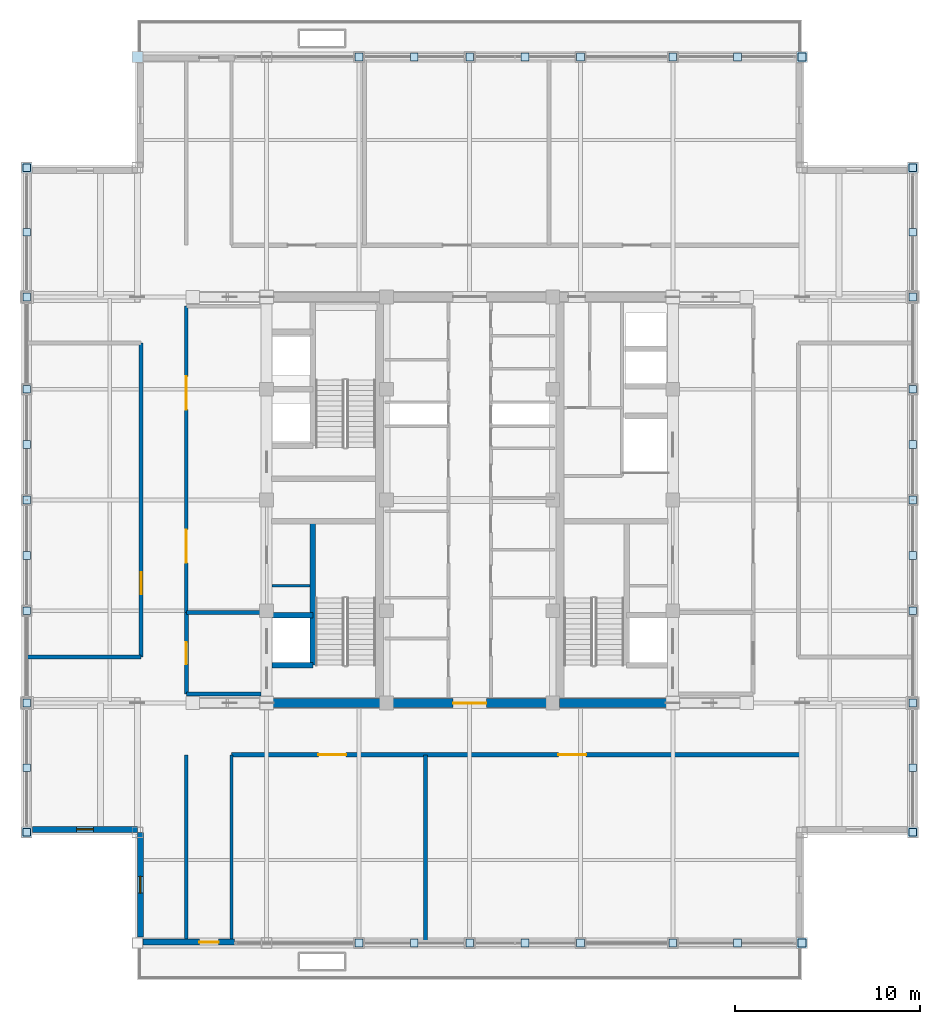
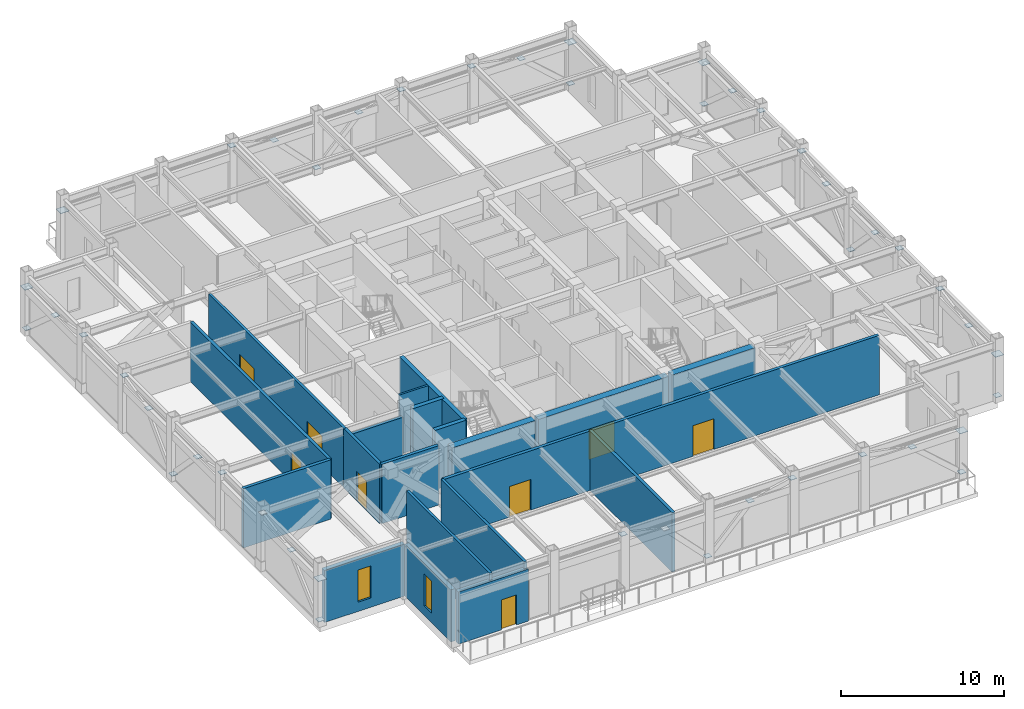
# One storey, part 26 of 32: 45 plates, 20 walls, 8 doors, 2 windows, 10 openings.
"""IFC4 building model written with IfcOpenShell, lengths in metres."""

from ifc_helpers import new_model, si_unit, direction, frame, frame_2d, origin, origin_2d, place, context, subcontext, project, spatial, rectangle, extrude, source, transform, mapped, material, layer, layer_set, type_object, element, fill, save


model = new_model("IFC4")

# Units and contexts
model_context = context("Model", 3, precision=1e-05, world=origin(), true_north=direction((0.0, 1.0)))
body_context = subcontext(model_context, "Body", "Model", "MODEL_VIEW")
ifc_project = project(units=[si_unit("LENGTHUNIT", "METRE"), si_unit("AREAUNIT", "SQUARE_METRE"), si_unit("VOLUMEUNIT", "CUBIC_METRE"), si_unit("PLANEANGLEUNIT", "RADIAN"), si_unit("MASSUNIT", "GRAM", prefix="KILO")], contexts=[model_context])

# Site, building, storey
site_placement = place(None, origin())
site = spatial("IfcSite", under=ifc_project, at=site_placement, CompositionType="ELEMENT")
building_placement = place(site_placement, origin())
building = spatial("IfcBuilding", under=site, at=building_placement, Name="Khorayat Bourse Tower", CompositionType="ELEMENT")
storey_placement = place(building_placement, frame((0.0, 0.0, 375.5)))
storey = spatial("IfcBuildingStorey", under=building, at=storey_placement, Name="L89", CompositionType="ELEMENT", Elevation=375.5)

# Plates
ifc_material_1 = material(Name="Steel EN 10025-2 S355J2", Category="steel")
ifc_layer_1 = layer(ifc_material_1, 0.02490234375)
ifc_layer_set_1 = layer_set([ifc_layer_1], Name="Steel EN 10025-2 S355J2")
plate_type = type_object("IfcPlateType", Name="PLT-ENDCAP-25", PredefinedType="SHEET", material=ifc_layer_set_1)
shared_shape_1 = source(origin(), body_context, "Body", "SweptSolid", [
    extrude(rectangle(XDim=0.580078125, YDim=0.580078125, at=origin_2d()), origin(), (0.0, 0.0, 1.0), 0.02490234375),
])
for number, where, z_axis, x_axis, name in (
    (1, (18.0, -24.0, 3.4375), (0.0, 0.0, 1.0), (1.0, 0.0, 0.0), "L89 Belt Truss Endcap Plate 002"),
    (2, (-18.0, 24.0, 3.4375), (0.0, 0.0, 1.0), (1.0, 0.0, 0.0), "L89 Belt Truss Endcap Plate 003"),
    (3, (18.0, 24.0, 3.4375), (0.0, 0.0, 1.0), (1.0, 0.0, 0.0), "L89 Belt Truss Endcap Plate 004"),
    (4, (-24.0, -18.0, 3.4375), (0.0, 0.0, 1.0), (1.0, 0.0, 0.0), "L89 Belt Truss Endcap Plate 005"),
    (5, (-24.0, 18.0, 3.4375), (0.0, 0.0, 1.0), (1.0, 0.0, 0.0), "L89 Belt Truss Endcap Plate 006"),
    (6, (24.0, -18.0, 3.4375), (0.0, 0.0, 1.0), (1.0, 0.0, 0.0), "L89 Belt Truss Endcap Plate 007"),
    (7, (24.0, 18.0, 3.4375), (0.0, 0.0, 1.0), (1.0, 0.0, 0.0), "L89 Belt Truss Endcap Plate 008"),
):
    element("IfcPlate", number, at=place(storey_placement, frame(where, z_axis=z_axis, x_axis=x_axis)), inside=storey, type_object=plate_type, Name=name, PredefinedType="SHEET", context=body_context, shape_type="MappedRepresentation", body=[
        mapped(shared_shape_1, transform((0.0, 0.0, 0.0), scale=1.0)),
    ])
shared_shape_2 = source(origin(), body_context, "Body", "SweptSolid", [
    extrude(rectangle(XDim=0.419921875, YDim=0.419921875, at=origin_2d()), origin(), (0.0, 0.0, 1.0), 0.02490234375),
])
for number, where, z_axis, x_axis, name in (
    (8, (-6.0, -24.0, 4.087646484375), (0.0, 0.0, 1.0), (1.0, 0.0, 0.0), "L89 Crown Frame Node Plate 009"),
    (9, (-3.0, -24.0, 3.4375), (0.0, 0.0, 1.0), (1.0, 0.0, 0.0), "L89 Crown Frame Node Plate 010"),
    (10, (0.0, -24.0, 0.337646484375), (0.0, 0.0, 1.0), (1.0, 0.0, 0.0), "L89 Crown Frame Node Plate 011"),
    (11, (3.0, -24.0, 3.4375), (0.0, 0.0, 1.0), (1.0, 0.0, 0.0), "L89 Crown Frame Node Plate 012"),
    (12, (6.0, -24.0, 4.087646484375), (0.0, 0.0, 1.0), (1.0, 0.0, 0.0), "L89 Crown Frame Node Plate 013"),
    (13, (11.0, -24.0, 4.087646484375), (0.0, 0.0, 1.0), (1.0, 0.0, 0.0), "L89 Crown Frame Node Plate 014"),
    (14, (14.5, -24.0, 3.4375), (0.0, 0.0, 1.0), (1.0, 0.0, 0.0), "L89 Crown Frame Node Plate 015"),
    (15, (18.0, -24.0, 0.337646484375), (0.0, 0.0, 1.0), (1.0, 0.0, 0.0), "L89 Crown Frame Node Plate 016"),
    (16, (-6.0, 24.0, 4.087646484375), (0.0, 0.0, 1.0), (1.0, 0.0, 0.0), "L89 Crown Frame Node Plate 017"),
    (17, (-3.0, 24.0, 3.4375), (0.0, 0.0, 1.0), (1.0, 0.0, 0.0), "L89 Crown Frame Node Plate 018"),
    (18, (0.0, 24.0, 0.337646484375), (0.0, 0.0, 1.0), (1.0, 0.0, 0.0), "L89 Crown Frame Node Plate 019"),
    (19, (3.0, 24.0, 3.4375), (0.0, 0.0, 1.0), (1.0, 0.0, 0.0), "L89 Crown Frame Node Plate 020"),
    (20, (6.0, 24.0, 4.087646484375), (0.0, 0.0, 1.0), (1.0, 0.0, 0.0), "L89 Crown Frame Node Plate 021"),
    (21, (11.0, 24.0, 4.087646484375), (0.0, 0.0, 1.0), (1.0, 0.0, 0.0), "L89 Crown Frame Node Plate 022"),
    (22, (14.5, 24.0, 3.4375), (0.0, 0.0, 1.0), (1.0, 0.0, 0.0), "L89 Crown Frame Node Plate 023"),
    (23, (18.0, 24.0, 0.337646484375), (0.0, 0.0, 1.0), (1.0, 0.0, 0.0), "L89 Crown Frame Node Plate 024"),
    (24, (-24.0, -18.0, 0.337646484375), (0.0, 0.0, 1.0), (1.0, 0.0, 0.0), "L89 Crown Frame Node Plate 025"),
    (25, (-24.0, -14.5, 3.4375), (0.0, 0.0, 1.0), (1.0, 0.0, 0.0), "L89 Crown Frame Node Plate 026"),
    (26, (-24.0, -11.0, 4.087646484375), (0.0, 0.0, 1.0), (1.0, 0.0, 0.0), "L89 Crown Frame Node Plate 027"),
    (27, (-24.0, -6.0, 4.087646484375), (0.0, 0.0, 1.0), (1.0, 0.0, 0.0), "L89 Crown Frame Node Plate 028"),
    (28, (-24.0, -3.0, 3.4375), (0.0, 0.0, 1.0), (1.0, 0.0, 0.0), "L89 Crown Frame Node Plate 029"),
    (29, (-24.0, 0.0, 0.337646484375), (0.0, 0.0, 1.0), (1.0, 0.0, 0.0), "L89 Crown Frame Node Plate 030"),
    (30, (-24.0, 3.0, 3.4375), (0.0, 0.0, 1.0), (1.0, 0.0, 0.0), "L89 Crown Frame Node Plate 031"),
    (31, (-24.0, 6.0, 4.087646484375), (0.0, 0.0, 1.0), (1.0, 0.0, 0.0), "L89 Crown Frame Node Plate 032"),
    (32, (-24.0, 11.0, 4.087646484375), (0.0, 0.0, 1.0), (1.0, 0.0, 0.0), "L89 Crown Frame Node Plate 033"),
    (33, (-24.0, 14.5, 3.4375), (0.0, 0.0, 1.0), (1.0, 0.0, 0.0), "L89 Crown Frame Node Plate 034"),
    (34, (-24.0, 18.0, 0.337646484375), (0.0, 0.0, 1.0), (1.0, 0.0, 0.0), "L89 Crown Frame Node Plate 035"),
    (35, (24.0, -18.0, 0.337646484375), (0.0, 0.0, 1.0), (1.0, 0.0, 0.0), "L89 Crown Frame Node Plate 036"),
    (36, (24.0, -14.5, 3.4375), (0.0, 0.0, 1.0), (1.0, 0.0, 0.0), "L89 Crown Frame Node Plate 037"),
    (37, (24.0, -11.0, 4.087646484375), (0.0, 0.0, 1.0), (1.0, 0.0, 0.0), "L89 Crown Frame Node Plate 038"),
    (38, (24.0, -6.0, 4.087646484375), (0.0, 0.0, 1.0), (1.0, 0.0, 0.0), "L89 Crown Frame Node Plate 039"),
    (39, (24.0, -3.0, 3.4375), (0.0, 0.0, 1.0), (1.0, 0.0, 0.0), "L89 Crown Frame Node Plate 040"),
    (40, (24.0, 0.0, 0.337646484375), (0.0, 0.0, 1.0), (1.0, 0.0, 0.0), "L89 Crown Frame Node Plate 041"),
    (41, (24.0, 3.0, 3.4375), (0.0, 0.0, 1.0), (1.0, 0.0, 0.0), "L89 Crown Frame Node Plate 042"),
    (42, (24.0, 6.0, 4.087646484375), (0.0, 0.0, 1.0), (1.0, 0.0, 0.0), "L89 Crown Frame Node Plate 043"),
    (43, (24.0, 11.0, 4.087646484375), (0.0, 0.0, 1.0), (1.0, 0.0, 0.0), "L89 Crown Frame Node Plate 044"),
    (44, (24.0, 14.5, 3.4375), (0.0, 0.0, 1.0), (1.0, 0.0, 0.0), "L89 Crown Frame Node Plate 045"),
    (45, (24.0, 18.0, 0.337646484375), (0.0, 0.0, 1.0), (1.0, 0.0, 0.0), "L89 Crown Frame Node Plate 046"),
):
    element("IfcPlate", number, at=place(storey_placement, frame(where, z_axis=z_axis, x_axis=x_axis)), inside=storey, type_object=plate_type, Name=name, PredefinedType="SHEET", context=body_context, shape_type="MappedRepresentation", body=[
        mapped(shared_shape_2, transform((0.0, 0.0, 0.0), scale=1.0)),
    ])

# Walls
ifc_material_2 = material(Name="Concrete C52/65", Category="concrete")
ifc_layer_2 = layer(ifc_material_2, 0.5)
ifc_layer_set_2 = layer_set([ifc_layer_2], Name="Concrete C52/65")
wall_type_1 = type_object("IfcWallType", Name="WAL-CORE-500", PredefinedType="SHEAR", material=ifc_layer_set_2)
shared_shape_3 = source(origin(), body_context, "Body", "SweptSolid", [
    extrude(rectangle(XDim=5.89990234375, YDim=0.5, at=frame_2d((2.949951171875, 0.0))), origin(), (0.0, 0.0, 1.0), 4.449951171875),
])
for number, where, z_axis, x_axis, name in (
    (46, (-10.75, -11.0, 0.0), (0.0, 0.0, 1.0), (1.0, 0.0, 0.0), "L89 Core Shear Wall PIER-WS"),
    (47, (4.85009765625, -11.0, 0.0), (0.0, 0.0, 1.0), (1.0, 0.0, 0.0), "L89 Core Shear Wall PIER-ES"),
):
    element("IfcWall", number, at=place(storey_placement, frame(where, z_axis=z_axis, x_axis=x_axis)), inside=storey, type_object=wall_type_1, Name=name, PredefinedType="SHEAR", context=body_context, shape_type="MappedRepresentation", body=[
        mapped(shared_shape_3, transform((0.0, 0.0, 0.0), scale=1.0)),
    ])

# Wall, opening, door
shared_shape_4 = source(origin(), body_context, "Body", "SweptSolid", [
    extrude(rectangle(XDim=9.2001953125, YDim=0.5, at=frame_2d((4.60009765625, 0.0))), origin(), (0.0, 0.0, 1.0), 4.449951171875),
])
wall_1_placement = place(storey_placement, frame((-4.60009765625, -11.0, 0.0), z_axis=(0.0, 0.0, 1.0), x_axis=(1.0, 0.0, 0.0)))
wall_1 = element("IfcWall", 48, at=wall_1_placement, inside=storey, type_object=wall_type_1, Name="L89 Core Shear Wall CORE-S", PredefinedType="SHEAR", context=body_context, shape_type="MappedRepresentation", body=[
    mapped(shared_shape_4, transform((0.0, 0.0, 0.0), scale=1.0)),
])
shared_shape_5 = source(origin(), body_context, "Body", "SweptSolid", [
    extrude(rectangle(XDim=1.800048828125, YDim=2.25, at=frame_2d((0.89990234375, 1.125))), frame((0.0, 0.260009765625, 0.0), z_axis=(0.0, -1.0, 0.0), x_axis=(1.0, 0.0, 0.0)), (0.0, 0.0, 1.0), 0.52001953125),
])
opening_1_placement = place(wall_1_placement, frame((3.699951171875, 0.0, 0.0)))
opening_1 = element("IfcOpeningElement", 49, at=opening_1_placement, cuts=wall_1, Name="Opening DI-03", PredefinedType="OPENING", context=body_context, shape_type="MappedRepresentation", body=[
    mapped(shared_shape_5, transform((0.0, 0.0, 0.0), scale=1.0)),
])
ifc_material_3 = material(Name="Fire-rated hardwood vision-panel double leaf", Category="wood")
door_type_1 = type_object("IfcDoorType", Name="DR-INT-CORR-1800", OperationType="NOTDEFINED", PredefinedType="DOOR", material=ifc_material_3)
shared_shape_6 = source(origin(), body_context, "Body", "SweptSolid", [
    extrude(rectangle(XDim=1.800048828125, YDim=2.25, at=frame_2d((0.89990234375, 1.125))), frame((0.0, 0.02490234375, 0.0), z_axis=(0.0, -1.0, 0.0), x_axis=(1.0, 0.0, 0.0)), (0.0, 0.0, 1.0), 0.050048828125),
])
door_1_placement = place(opening_1_placement, origin())
door_1 = element("IfcDoor", 50, at=door_1_placement, inside=storey, type_object=door_type_1, Name="L89 Central Core South Passage Door", OperationType="SINGLE_SWING_LEFT", OverallHeight=2.25, OverallWidth=1.800048828125, PredefinedType="DOOR", context=body_context, shape_type="MappedRepresentation", body=[
    mapped(shared_shape_6, transform((0.0, 0.0, 0.0), scale=1.0)),
])
fill(opening_1, door_1)

# Wall, opening, window
ifc_material_4 = material(Name="Precast concrete C45/55", Category="concrete")
ifc_layer_3 = layer(ifc_material_4, 0.320068359375)
ifc_layer_set_3 = layer_set([ifc_layer_3], Name="Precast concrete C45/55")
wall_type_2 = type_object("IfcWallType", Name="WAL-EXT-STONE-320", PredefinedType="STANDARD", material=ifc_layer_set_3)
shared_shape_7 = source(origin(), body_context, "Body", "SweptSolid", [
    extrude(rectangle(XDim=5.679931640625, YDim=0.320068359375, at=frame_2d((2.83984375, 0.0))), origin(), (0.0, 0.0, 1.0), 3.90087890625),
])
wall_2_placement = place(storey_placement, frame((-18.0, -17.840087890625, 0.0), z_axis=(0.0, 0.0, 1.0), x_axis=(-1.0, 0.0, 0.0)))
wall_2 = element("IfcWall", 51, at=wall_2_placement, inside=storey, type_object=wall_type_2, Name="L89 Re-Entrant Notch Limestone Wall SW-H", PredefinedType="STANDARD", context=body_context, shape_type="MappedRepresentation", body=[
    mapped(shared_shape_7, transform((0.0, 0.0, 0.0), scale=1.0)),
])
shared_shape_8 = source(origin(), body_context, "Body", "SweptSolid", [
    extrude(rectangle(XDim=0.89990234375, YDim=2.39990234375, at=frame_2d((0.449951171875, 1.199951171875))), frame((0.0, 0.169921875, 0.0), z_axis=(0.0, -1.0, 0.0), x_axis=(1.0, 0.0, 0.0)), (0.0, 0.0, 1.0), 0.340087890625),
])
opening_2_placement = place(wall_2_placement, frame((2.389892578125, 0.0, 0.699951171875)))
opening_2 = element("IfcOpeningElement", 52, at=opening_2_placement, cuts=wall_2, Name="Opening WN-03", PredefinedType="OPENING", context=body_context, shape_type="MappedRepresentation", body=[
    mapped(shared_shape_8, transform((0.0, 0.0, 0.0), scale=1.0)),
])
ifc_material_5 = material(Name="Deep-reveal solar-control double glazing", Category="glass")
window_type = type_object("IfcWindowType", Name="WIN-SLOT-900x2400", PartitioningType="SINGLE_PANEL", PredefinedType="WINDOW", material=ifc_material_5)
shared_shape_9 = source(origin(), body_context, "Body", "SweptSolid", [
    extrude(rectangle(XDim=0.89990234375, YDim=2.39990234375, at=frame_2d((0.449951171875, 1.199951171875))), frame((0.0, 0.030029296875, 0.0), z_axis=(0.0, -1.0, 0.0), x_axis=(1.0, 0.0, 0.0)), (0.0, 0.0, 1.0), 0.06005859375),
])
window_1_placement = place(opening_2_placement, origin())
window_1 = element("IfcWindow", 53, at=window_1_placement, inside=storey, type_object=window_type, Name="L89 Facade Window 1", OverallHeight=2.39990234375, OverallWidth=0.89990234375, PartitioningType="SINGLE_PANEL", PredefinedType="WINDOW", context=body_context, shape_type="MappedRepresentation", body=[
    mapped(shared_shape_9, transform((0.0, 0.0, 0.0), scale=1.0)),
])
fill(opening_2, window_1)

wall_3_placement = place(storey_placement, frame((-17.840087890625, -23.679931640625, 0.0), z_axis=(0.0, 0.0, 1.0), x_axis=(0.0, 1.0, 0.0)))
wall_3 = element("IfcWall", 54, at=wall_3_placement, inside=storey, type_object=wall_type_2, Name="L89 Re-Entrant Notch Limestone Wall SW-V", PredefinedType="STANDARD", context=body_context, shape_type="MappedRepresentation", body=[
    mapped(shared_shape_7, transform((0.0, 0.0, 0.0), scale=1.0)),
])
opening_3_placement = place(wall_3_placement, frame((2.389892578125, 0.0, 0.699951171875)))
opening_3 = element("IfcOpeningElement", 55, at=opening_3_placement, cuts=wall_3, Name="Opening WN-03", PredefinedType="OPENING", context=body_context, shape_type="MappedRepresentation", body=[
    mapped(shared_shape_8, transform((0.0, 0.0, 0.0), scale=1.0)),
])
window_2_placement = place(opening_3_placement, origin())
window_2 = element("IfcWindow", 56, at=window_2_placement, inside=storey, type_object=window_type, Name="L89 Facade Window 1", OverallHeight=2.39990234375, OverallWidth=0.89990234375, PartitioningType="SINGLE_PANEL", PredefinedType="WINDOW", context=body_context, shape_type="MappedRepresentation", body=[
    mapped(shared_shape_9, transform((0.0, 0.0, 0.0), scale=1.0)),
])
fill(opening_3, window_2)

# Wall, opening, door
shared_shape_10 = source(origin(), body_context, "Body", "SweptSolid", [
    extrude(rectangle(XDim=4.9599609375, YDim=0.320068359375, at=frame_2d((2.47998046875, 0.0))), origin(), (0.0, 0.0, 1.0), 3.90087890625),
])
wall_4_placement = place(storey_placement, frame((-17.7099609375, -23.952392578125, 0.0), z_axis=(0.0, 0.0, 1.0), x_axis=(1.0, 0.0, 0.0)))
wall_4 = element("IfcWall", 57, at=wall_4_placement, inside=storey, type_object=wall_type_2, Name="L89 Exterior Limestone Wall WAL-L89-TDPORT-S1", PredefinedType="STANDARD", context=body_context, shape_type="MappedRepresentation", body=[
    mapped(shared_shape_10, transform((0.0, 0.0, 0.0), scale=1.0)),
])
shared_shape_11 = source(origin(), body_context, "Body", "SweptSolid", [
    extrude(rectangle(XDim=1.050048828125, YDim=2.25, at=frame_2d((0.52490234375, 1.125))), frame((0.0, 0.169921875, 0.0), z_axis=(0.0, -1.0, 0.0), x_axis=(1.0, 0.0, 0.0)), (0.0, 0.0, 1.0), 0.340087890625),
])
opening_4_placement = place(wall_4_placement, frame((3.06005859375, 0.0, 0.0)))
opening_4 = element("IfcOpeningElement", 58, at=opening_4_placement, cuts=wall_4, Name="Opening DE-05", PredefinedType="OPENING", context=body_context, shape_type="MappedRepresentation", body=[
    mapped(shared_shape_11, transform((0.0, 0.0, 0.0), scale=1.0)),
])
ifc_material_6 = material(Name="Thermally broken aluminium terrace door", Category="aluminium")
door_type_2 = type_object("IfcDoorType", Name="DR-EXT-TERR-1050", OperationType="NOTDEFINED", PredefinedType="DOOR", material=ifc_material_6)
shared_shape_12 = source(origin(), body_context, "Body", "SweptSolid", [
    extrude(rectangle(XDim=1.050048828125, YDim=2.25, at=frame_2d((0.52490234375, 1.125))), frame((0.0, 0.02490234375, 0.0), z_axis=(0.0, -1.0, 0.0), x_axis=(1.0, 0.0, 0.0)), (0.0, 0.0, 1.0), 0.050048828125),
])
door_2_placement = place(opening_4_placement, origin())
door_2 = element("IfcDoor", 59, at=door_2_placement, inside=storey, type_object=door_type_2, Name="L89 South Crown Terrace Door", OperationType="SINGLE_SWING_LEFT", OverallHeight=2.25, OverallWidth=1.050048828125, PredefinedType="DOOR", context=body_context, shape_type="MappedRepresentation", body=[
    mapped(shared_shape_12, transform((0.0, 0.0, 0.0), scale=1.0)),
])
fill(opening_4, door_2)

# Walls
ifc_material_7 = material(Name="Concrete C50/60", Category="concrete")
ifc_layer_4 = layer(ifc_material_7, 0.300048828125)
ifc_layer_set_4 = layer_set([ifc_layer_4], Name="Concrete C50/60")
wall_type_3 = type_object("IfcWallType", Name="WAL-SHAFT-300", PredefinedType="SHEAR", material=ifc_layer_set_4)
shared_shape_13 = source(origin(), body_context, "Body", "SweptSolid", [
    extrude(rectangle(XDim=7.800048828125, YDim=0.300048828125, at=frame_2d((3.89990234375, 0.0))), origin(), (0.0, 0.0, 1.0), 4.449951171875),
])
wall_5_placement = place(storey_placement, frame((-8.5, -8.949951171875, 0.0), z_axis=(0.0, 0.0, 1.0), x_axis=(0.0, 1.0, 0.0)))
element("IfcWall", 60, at=wall_5_placement, inside=storey, type_object=wall_type_3, Name="L89 Partition WAL-L89-WPIER-SP", PredefinedType="SHEAR", context=body_context, shape_type="MappedRepresentation", body=[
    mapped(shared_shape_13, transform((0.0, 0.0, 0.0), scale=1.0)),
])
shared_shape_14 = source(origin(), body_context, "Body", "SweptSolid", [
    extrude(rectangle(XDim=2.199951171875, YDim=0.300048828125, at=frame_2d((1.10009765625, 0.0))), origin(), (0.0, 0.0, 1.0), 4.449951171875),
])
for number, where, z_axis, x_axis, name in (
    (61, (-10.699951171875, -8.949951171875, 0.0), (0.0, 0.0, 1.0), (1.0, 0.0, 0.0), "L89 Partition WAL-L89-WPIER-FF1S"),
    (62, (-10.699951171875, -6.25, 0.0), (0.0, 0.0, 1.0), (1.0, 0.0, 0.0), "L89 Partition WAL-L89-WPIER-FF1N"),
):
    element("IfcWall", number, at=place(storey_placement, frame(where, z_axis=z_axis, x_axis=x_axis)), inside=storey, type_object=wall_type_3, Name=name, PredefinedType="SHEAR", context=body_context, shape_type="MappedRepresentation", body=[
        mapped(shared_shape_14, transform((0.0, 0.0, 0.0), scale=1.0)),
    ])
ifc_material_8 = material(Name="Gypsum plasterboard twin-frame partition")
ifc_layer_5 = layer(ifc_material_8, 0.14990234375)
ifc_layer_set_5 = layer_set([ifc_layer_5], Name="Gypsum plasterboard twin-frame partition")
wall_type_4 = type_object("IfcWallType", Name="WAL-PART-SUITE-150", PredefinedType="PARTITIONING", material=ifc_layer_set_5)
shared_shape_15 = source(origin(), body_context, "Body", "SweptSolid", [
    extrude(rectangle(XDim=2.050048828125, YDim=0.14990234375, at=frame_2d((1.02490234375, 0.0))), origin(), (0.0, 0.0, 1.0), 4.449951171875),
])
wall_6_placement = place(storey_placement, frame((-10.699951171875, -4.64990234375, 0.0), z_axis=(0.0, 0.0, 1.0), x_axis=(1.0, 0.0, 0.0)))
element("IfcWall", 63, at=wall_6_placement, inside=storey, type_object=wall_type_4, Name="L89 Partition WAL-L89-WSRV-S0", PredefinedType="PARTITIONING", context=body_context, shape_type="MappedRepresentation", body=[
    mapped(shared_shape_15, transform((0.0, 0.0, 0.0), scale=1.0)),
])
ifc_material_9 = material(Name="Aerated concrete blockwork", Category="masonry")
ifc_layer_6 = layer(ifc_material_9, 0.219970703125)
ifc_layer_set_6 = layer_set([ifc_layer_6], Name="Aerated concrete blockwork")
wall_type_5 = type_object("IfcWallType", Name="WAL-PART-FF-220", PredefinedType="PARTITIONING", material=ifc_layer_set_6)
shared_shape_16 = source(origin(), body_context, "Body", "SweptSolid", [
    extrude(rectangle(XDim=4.050048828125, YDim=0.219970703125, at=frame_2d((2.02490234375, 0.0))), origin(), (0.0, 0.0, 1.0), 4.449951171875),
])
wall_7_placement = place(storey_placement, frame((-15.35009765625, -10.5, 0.0), z_axis=(0.0, 0.0, 1.0), x_axis=(1.0, 0.0, 0.0)))
element("IfcWall", 64, at=wall_7_placement, inside=storey, type_object=wall_type_5, Name="L89 Partition WAL-L89-FFLW-S", PredefinedType="PARTITIONING", context=body_context, shape_type="MappedRepresentation", body=[
    mapped(shared_shape_16, transform((0.0, 0.0, 0.0), scale=1.0)),
])
shared_shape_17 = source(origin(), body_context, "Body", "SweptSolid", [
    extrude(rectangle(XDim=4.050048828125, YDim=0.219970703125, at=frame_2d((2.02490234375, 0.0))), origin(), (0.0, 0.0, 1.0), 3.90087890625),
])
wall_8_placement = place(storey_placement, frame((-15.35009765625, -6.10009765625, 0.0), z_axis=(0.0, 0.0, 1.0), x_axis=(1.0, 0.0, 0.0)))
element("IfcWall", 65, at=wall_8_placement, inside=storey, type_object=wall_type_5, Name="L89 Partition WAL-L89-FFLW-N", PredefinedType="PARTITIONING", context=body_context, shape_type="MappedRepresentation", body=[
    mapped(shared_shape_17, transform((0.0, 0.0, 0.0), scale=1.0)),
])

# Wall, opening, door
shared_shape_18 = source(origin(), body_context, "Body", "SweptSolid", [
    extrude(rectangle(XDim=4.39990234375, YDim=0.219970703125, at=frame_2d((2.199951171875, 0.0))), origin(), (0.0, 0.0, 1.0), 4.449951171875),
])
wall_9_placement = place(storey_placement, frame((-15.35009765625, -10.5, 0.0), z_axis=(0.0, 0.0, 1.0), x_axis=(0.0, 1.0, 0.0)))
wall_9 = element("IfcWall", 66, at=wall_9_placement, inside=storey, type_object=wall_type_5, Name="L89 Partition WAL-L89-FFLW-W", PredefinedType="PARTITIONING", context=body_context, shape_type="MappedRepresentation", body=[
    mapped(shared_shape_18, transform((0.0, 0.0, 0.0), scale=1.0)),
])
shared_shape_19 = source(origin(), body_context, "Body", "SweptSolid", [
    extrude(rectangle(XDim=1.199951171875, YDim=2.199951171875, at=frame_2d((0.60009765625, 1.10009765625))), frame((0.0, 0.119873046875, 0.0), z_axis=(0.0, -1.0, 0.0), x_axis=(1.0, 0.0, 0.0)), (0.0, 0.0, 1.0), 0.239990234375),
])
opening_5_placement = place(wall_9_placement, frame((1.60009765625, 0.0, 0.0)))
opening_5 = element("IfcOpeningElement", 67, at=opening_5_placement, cuts=wall_9, Name="Opening DI-02", PredefinedType="OPENING", context=body_context, shape_type="MappedRepresentation", body=[
    mapped(shared_shape_19, transform((0.0, 0.0, 0.0), scale=1.0)),
])
ifc_material_10 = material(Name="Fire-rated steel double-seal leaf", Category="steel")
door_type_3 = type_object("IfcDoorType", Name="DR-INT-FFLOBBY-1200", OperationType="NOTDEFINED", PredefinedType="DOOR", material=ifc_material_10)
shared_shape_20 = source(origin(), body_context, "Body", "SweptSolid", [
    extrude(rectangle(XDim=1.199951171875, YDim=2.199951171875, at=frame_2d((0.60009765625, 1.10009765625))), frame((0.0, 0.02490234375, 0.0), z_axis=(0.0, -1.0, 0.0), x_axis=(1.0, 0.0, 0.0)), (0.0, 0.0, 1.0), 0.050048828125),
])
door_3_placement = place(opening_5_placement, origin())
door_3 = element("IfcDoor", 68, at=door_3_placement, inside=storey, type_object=door_type_3, Name="L89 West Firefighting Lobby Door", OperationType="SINGLE_SWING_LEFT", OverallHeight=2.199951171875, OverallWidth=1.199951171875, PredefinedType="DOOR", context=body_context, shape_type="MappedRepresentation", body=[
    mapped(shared_shape_20, transform((0.0, 0.0, 0.0), scale=1.0)),
])
fill(opening_5, door_3)

# Wall, openings, doors
ifc_material_11 = material(Name="Gypsum plasterboard acoustic stud wall")
ifc_layer_7 = layer(ifc_material_11, 0.179931640625)
ifc_layer_set_7 = layer_set([ifc_layer_7], Name="Gypsum plasterboard acoustic stud wall")
wall_type_6 = type_object("IfcWallType", Name="WAL-PART-CORR-180", PredefinedType="PARTITIONING", material=ifc_layer_set_7)
shared_shape_21 = source(origin(), body_context, "Body", "SweptSolid", [
    extrude(rectangle(XDim=16.60009765625, YDim=0.179931640625, at=frame_2d((8.300048828125, 0.0))), origin(), (0.0, 0.0, 1.0), 4.449951171875),
])
wall_10_placement = place(storey_placement, frame((-15.35009765625, -6.10009765625, 0.0), z_axis=(0.0, 0.0, 1.0), x_axis=(0.0, 1.0, 0.0)))
wall_10 = element("IfcWall", 69, at=wall_10_placement, inside=storey, type_object=wall_type_6, Name="L89 Partition WAL-L89-WLOB-W", PredefinedType="PARTITIONING", context=body_context, shape_type="MappedRepresentation", body=[
    mapped(shared_shape_21, transform((0.0, 0.0, 0.0), scale=1.0)),
])
shared_shape_22 = source(origin(), body_context, "Body", "SweptSolid", [
    extrude(rectangle(XDim=1.800048828125, YDim=2.25, at=frame_2d((0.89990234375, 1.125))), frame((0.0, 0.099853515625, 0.0), z_axis=(0.0, -1.0, 0.0), x_axis=(1.0, 0.0, 0.0)), (0.0, 0.0, 1.0), 0.199951171875),
])
opening_6_placement = place(wall_10_placement, frame((2.699951171875, 0.0, 0.0)))
opening_6 = element("IfcOpeningElement", 70, at=opening_6_placement, cuts=wall_10, Name="Opening DI-03", PredefinedType="OPENING", context=body_context, shape_type="MappedRepresentation", body=[
    mapped(shared_shape_22, transform((0.0, 0.0, 0.0), scale=1.0)),
])
opening_7_placement = place(wall_10_placement, frame((11.0, 0.0, 0.0)))
opening_7 = element("IfcOpeningElement", 71, at=opening_7_placement, cuts=wall_10, Name="Opening DI-03", PredefinedType="OPENING", context=body_context, shape_type="MappedRepresentation", body=[
    mapped(shared_shape_22, transform((0.0, 0.0, 0.0), scale=1.0)),
])
door_4_placement = place(opening_6_placement, origin())
door_4 = element("IfcDoor", 72, at=door_4_placement, inside=storey, type_object=door_type_1, Name="L89 West Core Lobby South Door", OperationType="SINGLE_SWING_LEFT", OverallHeight=2.25, OverallWidth=1.800048828125, PredefinedType="DOOR", context=body_context, shape_type="MappedRepresentation", body=[
    mapped(shared_shape_6, transform((0.0, 0.0, 0.0), scale=1.0)),
])
fill(opening_6, door_4)
door_5_placement = place(opening_7_placement, origin())
door_5 = element("IfcDoor", 73, at=door_5_placement, inside=storey, type_object=door_type_1, Name="L89 West Core Lobby North Door", OperationType="SINGLE_SWING_RIGHT", OverallHeight=2.25, OverallWidth=1.800048828125, PredefinedType="DOOR", context=body_context, shape_type="MappedRepresentation", body=[
    mapped(shared_shape_6, transform((0.0, 0.0, 0.0), scale=1.0)),
])
fill(opening_7, door_5)

# Wall
shared_shape_23 = source(origin(), body_context, "Body", "SweptSolid", [
    extrude(rectangle(XDim=10.199951171875, YDim=0.219970703125, at=frame_2d((5.10009765625, 0.0))), origin(), (0.0, 0.0, 1.0), 4.449951171875),
])
wall_11_placement = place(storey_placement, frame((-2.39990234375, -24.0, 0.0), z_axis=(0.0, 0.0, 1.0), x_axis=(0.0, 1.0, 0.0)))
element("IfcWall", 74, at=wall_11_placement, inside=storey, type_object=wall_type_5, Name="L89 Partition WAL-L89-PLS-DIV", PredefinedType="PARTITIONING", context=body_context, shape_type="MappedRepresentation", body=[
    mapped(shared_shape_23, transform((0.0, 0.0, 0.0), scale=1.0)),
])

# Wall, openings, doors
shared_shape_24 = source(origin(), body_context, "Body", "SweptSolid", [
    extrude(rectangle(XDim=30.89990234375, YDim=0.219970703125, at=frame_2d((15.449951171875, 0.0))), origin(), (0.0, 0.0, 1.0), 4.449951171875),
])
wall_12_placement = place(storey_placement, frame((-12.89990234375, -13.800048828125, 0.0), z_axis=(0.0, 0.0, 1.0), x_axis=(1.0, 0.0, 0.0)))
wall_12 = element("IfcWall", 75, at=wall_12_placement, inside=storey, type_object=wall_type_5, Name="L89 Partition WAL-L89-PLS-N", PredefinedType="PARTITIONING", context=body_context, shape_type="MappedRepresentation", body=[
    mapped(shared_shape_24, transform((0.0, 0.0, 0.0), scale=1.0)),
])
shared_shape_25 = source(origin(), body_context, "Body", "SweptSolid", [
    extrude(rectangle(XDim=1.5, YDim=2.300048828125, at=frame_2d((0.75, 1.14990234375))), frame((0.0, 0.119873046875, 0.0), z_axis=(0.0, -1.0, 0.0), x_axis=(1.0, 0.0, 0.0)), (0.0, 0.0, 1.0), 0.239990234375),
])
opening_8_placement = place(wall_12_placement, frame((4.699951171875, 0.0, 0.0)))
opening_8 = element("IfcOpeningElement", 76, at=opening_8_placement, cuts=wall_12, Name="Opening DI-07", PredefinedType="OPENING", context=body_context, shape_type="MappedRepresentation", body=[
    mapped(shared_shape_25, transform((0.0, 0.0, 0.0), scale=1.0)),
])
opening_9_placement = place(wall_12_placement, frame((17.699951171875, 0.0, 0.0)))
opening_9 = element("IfcOpeningElement", 77, at=opening_9_placement, cuts=wall_12, Name="Opening DI-07", PredefinedType="OPENING", context=body_context, shape_type="MappedRepresentation", body=[
    mapped(shared_shape_25, transform((0.0, 0.0, 0.0), scale=1.0)),
])
ifc_material_12 = material(Name="Louvred fire-rated steel plant double door", Category="steel")
door_type_4 = type_object("IfcDoorType", Name="DR-INT-PLANT-1500", OperationType="NOTDEFINED", PredefinedType="DOOR", material=ifc_material_12)
shared_shape_26 = source(origin(), body_context, "Body", "SweptSolid", [
    extrude(rectangle(XDim=1.5, YDim=2.300048828125, at=frame_2d((0.75, 1.14990234375))), frame((0.0, 0.02490234375, 0.0), z_axis=(0.0, -1.0, 0.0), x_axis=(1.0, 0.0, 0.0)), (0.0, 0.0, 1.0), 0.050048828125),
])
door_6_placement = place(opening_8_placement, origin())
door_6 = element("IfcDoor", 78, at=door_6_placement, inside=storey, type_object=door_type_4, Name="L89 Chiller Plant Door", OperationType="SINGLE_SWING_LEFT", OverallHeight=2.300048828125, OverallWidth=1.5, PredefinedType="DOOR", context=body_context, shape_type="MappedRepresentation", body=[
    mapped(shared_shape_26, transform((0.0, 0.0, 0.0), scale=1.0)),
])
fill(opening_8, door_6)
door_7_placement = place(opening_9_placement, origin())
door_7 = element("IfcDoor", 79, at=door_7_placement, inside=storey, type_object=door_type_4, Name="L89 Pump Plant Door", OperationType="SINGLE_SWING_RIGHT", OverallHeight=2.300048828125, OverallWidth=1.5, PredefinedType="DOOR", context=body_context, shape_type="MappedRepresentation", body=[
    mapped(shared_shape_26, transform((0.0, 0.0, 0.0), scale=1.0)),
])
fill(opening_9, door_7)

# Wall
shared_shape_27 = source(origin(), body_context, "Body", "SweptSolid", [
    extrude(rectangle(XDim=6.199951171875, YDim=0.219970703125, at=frame_2d((3.10009765625, 0.0))), origin(), (0.0, 0.0, 1.0), 4.449951171875),
])
wall_13_placement = place(storey_placement, frame((-24.0, -8.5, 0.0), z_axis=(0.0, 0.0, 1.0), x_axis=(1.0, 0.0, 0.0)))
element("IfcWall", 80, at=wall_13_placement, inside=storey, type_object=wall_type_5, Name="L89 Partition WAL-L89-PLW-S", PredefinedType="PARTITIONING", context=body_context, shape_type="MappedRepresentation", body=[
    mapped(shared_shape_27, transform((0.0, 0.0, 0.0), scale=1.0)),
])

# Wall, opening, door
shared_shape_28 = source(origin(), body_context, "Body", "SweptSolid", [
    extrude(rectangle(XDim=17.0, YDim=0.219970703125, at=frame_2d((8.5, 0.0))), origin(), (0.0, 0.0, 1.0), 4.449951171875),
])
wall_14_placement = place(storey_placement, frame((-17.800048828125, -8.5, 0.0), z_axis=(0.0, 0.0, 1.0), x_axis=(0.0, 1.0, 0.0)))
wall_14 = element("IfcWall", 81, at=wall_14_placement, inside=storey, type_object=wall_type_5, Name="L89 Partition WAL-L89-PLW-E", PredefinedType="PARTITIONING", context=body_context, shape_type="MappedRepresentation", body=[
    mapped(shared_shape_28, transform((0.0, 0.0, 0.0), scale=1.0)),
])
opening_10_placement = place(wall_14_placement, frame((3.39990234375, 0.0, 0.0)))
opening_10 = element("IfcOpeningElement", 82, at=opening_10_placement, cuts=wall_14, Name="Opening DI-02", PredefinedType="OPENING", context=body_context, shape_type="MappedRepresentation", body=[
    mapped(shared_shape_19, transform((0.0, 0.0, 0.0), scale=1.0)),
])
door_8_placement = place(opening_10_placement, origin())
door_8 = element("IfcDoor", 83, at=door_8_placement, inside=storey, type_object=door_type_3, Name="L89 Protected Area of Refuge West South Door", OperationType="SINGLE_SWING_LEFT", OverallHeight=2.199951171875, OverallWidth=1.199951171875, PredefinedType="DOOR", context=body_context, shape_type="MappedRepresentation", body=[
    mapped(shared_shape_20, transform((0.0, 0.0, 0.0), scale=1.0)),
])
fill(opening_10, door_8)

# Walls
shared_shape_29 = source(origin(), body_context, "Body", "SweptSolid", [
    extrude(rectangle(XDim=10.199951171875, YDim=0.179931640625, at=frame_2d((5.10009765625, 0.0))), origin(), (0.0, 0.0, 1.0), 4.449951171875),
])
for number, where, z_axis, x_axis, name in (
    (84, (-15.35009765625, -24.0, 0.0), (0.0, 0.0, 1.0), (0.0, 1.0, 0.0), "L89 Partition WAL-L89-TCORRS-W"),
    (85, (-12.89990234375, -24.0, 0.0), (0.0, 0.0, 1.0), (0.0, 1.0, 0.0), "L89 Partition WAL-L89-TCORRS-E"),
):
    element("IfcWall", number, at=place(storey_placement, frame(where, z_axis=z_axis, x_axis=x_axis)), inside=storey, type_object=wall_type_6, Name=name, PredefinedType="PARTITIONING", context=body_context, shape_type="MappedRepresentation", body=[
        mapped(shared_shape_29, transform((0.0, 0.0, 0.0), scale=1.0)),
    ])

save(model, "model.ifc")
